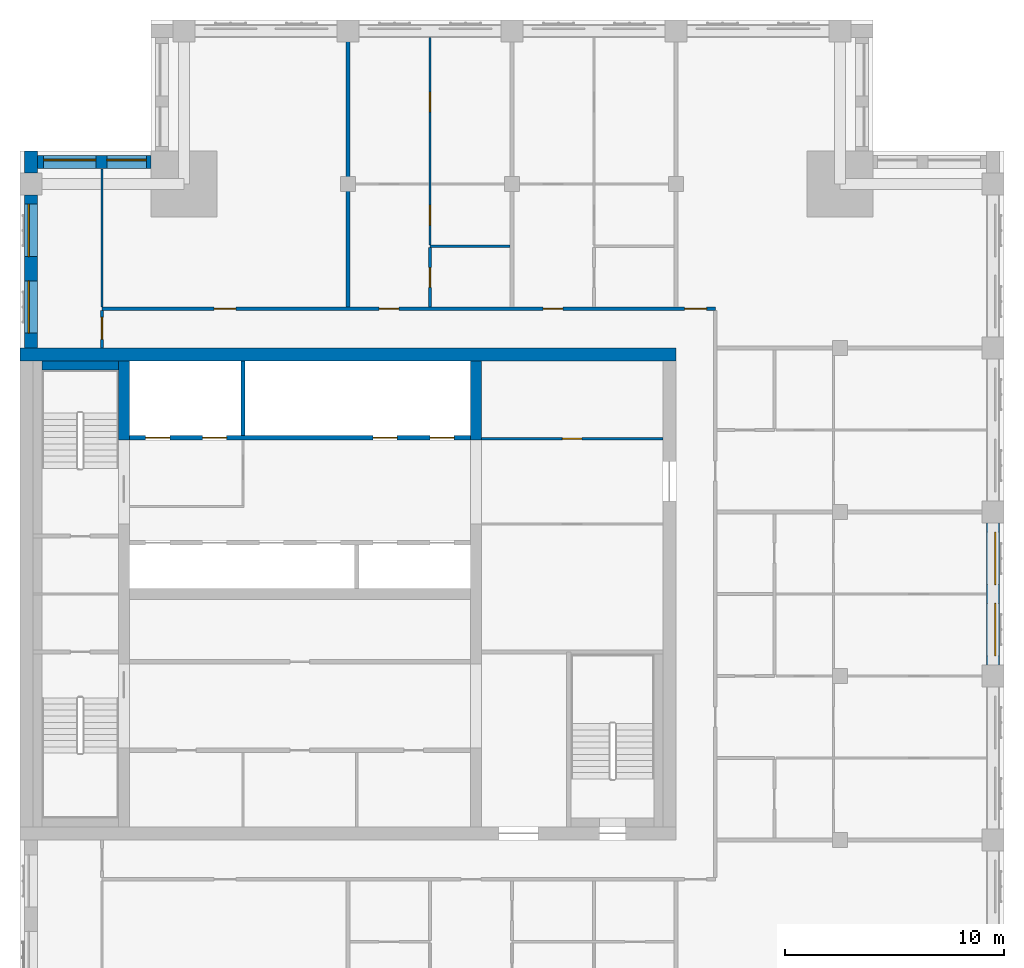
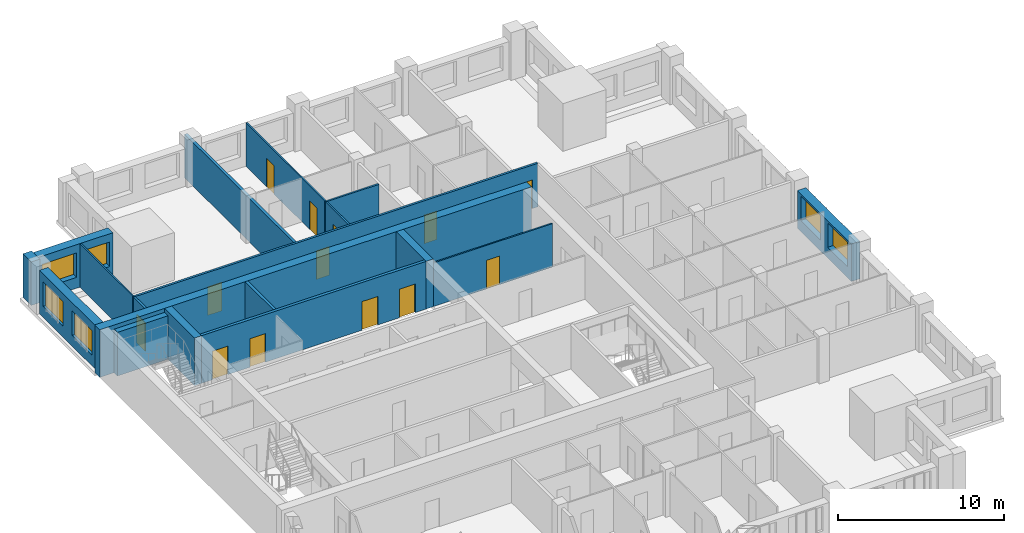
# One storey, part 6 of 10: 18 walls, 13 doors, 6 windows, 19 openings.
"""IFC4 building model written with IfcOpenShell, lengths in metres."""

import ifcopenshell
import ifcopenshell.guid

model = None  # the IFC model being written
_history = None  # IfcOwnerHistory: only IFC2X3 demands one
_inside = {}  # id of a spatial element -> (the spatial element, [elements in it])
_under = {}  # id of a project, library or spatial element -> (it, [spatial elements below it])
_declared = {}  # id of a project -> (the project, [libraries it declares])
_typed = {}  # id of a type object -> (the type object, [elements of that type])
_made_of = {}  # id of a material, layer set ... -> (it, [elements and type objects made of it])


def new_model(schema):
    """Start an empty IFC model of exactly this schema.

    Asked for "IFC4X3", IfcOpenShell would pick the latest addendum, in which some entities
    have other attributes; the version numbers below select the first issue.
    IFC2X3 requires an IfcOwnerHistory on every rooted entity: one is made here for all.
    """
    global model, _history
    if schema == "IFC4X3":
        model = ifcopenshell.file(schema_version=(4, 3, 0, 0))
    else:
        model = ifcopenshell.file(schema=schema)
    _inside.clear()
    _under.clear()
    _declared.clear()
    _typed.clear()
    _made_of.clear()
    _history = None
    if model.schema == "IFC2X3":
        org = make("IfcOrganization", Name="unknown")
        user = make(
            "IfcPersonAndOrganization",
            ThePerson=make("IfcPerson", FamilyName="unknown"),
            TheOrganization=org,
        )
        app = make(
            "IfcApplication",
            ApplicationDeveloper=org,
            Version="unknown",
            ApplicationFullName="unknown",
            ApplicationIdentifier="unknown",
        )
        _history = make(
            "IfcOwnerHistory",
            OwningUser=user,
            OwningApplication=app,
            ChangeAction="ADDED",
            CreationDate=0,
        )
    return model


def make(cls, **values):
    """One entity of the class cls with the attributes given. An attribute that is None is left unset."""
    return model.create_entity(
        cls, **{name: value for name, value in values.items() if value is not None}
    )


def rooted(cls, **values):
    """An entity with a GlobalId (a new one), such as an element, a storey or a relation."""
    return make(cls, GlobalId=ifcopenshell.guid.new(), OwnerHistory=_history, **values)


def si_unit(unit_type, name, prefix=None):
    """IfcSIUnit, for example si_unit("LENGTHUNIT", "METRE", prefix="MILLI")."""
    return make("IfcSIUnit", UnitType=unit_type, Prefix=prefix, Name=name)


def assignment(units):
    """IfcUnitAssignment: the units of a project."""
    return None if units is None else make("IfcUnitAssignment", Units=units)


def point(xyz):
    """IfcCartesianPoint."""
    return None if xyz is None else make("IfcCartesianPoint", Coordinates=xyz)


def direction(xyz):
    """IfcDirection."""
    return None if xyz is None else make("IfcDirection", DirectionRatios=xyz)


def frame(location, z_axis=None, x_axis=None):
    """IfcAxis2Placement3D, a coordinate frame: its origin and axes. An axis left out is left unset."""
    return make(
        "IfcAxis2Placement3D",
        Location=point(location),
        Axis=direction(z_axis),
        RefDirection=direction(x_axis),
    )


def frame_2d(location, x_axis=None):
    """IfcAxis2Placement2D, a coordinate frame in the plane: its origin and x axis."""
    return make(
        "IfcAxis2Placement2D", Location=point(location), RefDirection=direction(x_axis)
    )


def origin():
    """The frame at (0, 0, 0) with its axes left unset."""
    return frame((0.0, 0.0, 0.0))


def place(relative_to, where):
    """IfcLocalPlacement: puts the frame where relative to a parent placement (None: the world)."""
    return make(
        "IfcLocalPlacement", PlacementRelTo=relative_to, RelativePlacement=where
    )


def context(
    kind, dimensions, precision=None, world=None, true_north=None, identifier=None
):
    """IfcGeometricRepresentationContext, for example the 3D "Model" context."""
    return make(
        "IfcGeometricRepresentationContext",
        ContextIdentifier=identifier,
        ContextType=kind,
        CoordinateSpaceDimension=dimensions,
        Precision=precision,
        WorldCoordinateSystem=world,
        TrueNorth=true_north,
    )


def subcontext(parent, identifier, kind, view, scale=None):
    """IfcGeometricRepresentationSubContext, for example "Body" below "Model"."""
    return make(
        "IfcGeometricRepresentationSubContext",
        ContextIdentifier=identifier,
        ContextType=kind,
        ParentContext=parent,
        TargetScale=scale,
        TargetView=view,
    )


def project(units=None, contexts=None):
    """IfcProject with its units and contexts."""
    return rooted(
        "IfcProject",
        Name="project",
        RepresentationContexts=contexts,
        UnitsInContext=assignment(units),
    )


def spatial(cls, under=None, at=None, **own):
    """A site, building, storey or space (cls), placed at a placement, below another one or the project."""
    s = rooted(cls, ObjectPlacement=at, **own)
    if under is not None:
        _under.setdefault(under.id(), (under, []))[1].append(s)
    return s


def profile(cls, at=None, kind="AREA", **sizes):
    """A parametric profile (cls). Its sizes go by their IFC names, for example OverallWidth=200.0."""
    return make(cls, ProfileType=kind, Position=at, **sizes)


def rectangle(**sizes):
    """IfcRectangleProfileDef."""
    return profile("IfcRectangleProfileDef", **sizes)


def extrude(swept, where, along, depth):
    """IfcExtrudedAreaSolid: the profile swept, set in the frame where, extruded along a direction by depth."""
    return make(
        "IfcExtrudedAreaSolid",
        SweptArea=swept,
        Position=where,
        ExtrudedDirection=direction(along),
        Depth=depth,
    )


def shape(context_of_items, identifier, shape_type, items):
    """IfcShapeRepresentation: the items that make up one representation, for example the "Body"."""
    return make(
        "IfcShapeRepresentation",
        ContextOfItems=context_of_items,
        RepresentationIdentifier=identifier,
        RepresentationType=shape_type,
        Items=items,
    )


def material(Name=None, Category=None):
    """IfcMaterial."""
    return make("IfcMaterial", Name=Name, Category=Category)


def layer(
    of_material, thickness, ventilated=None, Name=None, Category=None, Priority=None
):
    """IfcMaterialLayer: one layer of a wall or slab, of a material (None: an air gap)."""
    return make(
        "IfcMaterialLayer",
        Material=of_material,
        LayerThickness=thickness,
        IsVentilated=ventilated,
        Name=Name,
        Category=Category,
        Priority=Priority,
    )


def layer_set(layers, Name=None):
    """IfcMaterialLayerSet."""
    return make("IfcMaterialLayerSet", MaterialLayers=layers, LayerSetName=Name)


def made_of(thing, what):
    """Note that an element or type object is made of a material, layer set ...; save() writes the relation."""
    if what is not None:
        _made_of.setdefault(what.id(), (what, []))[1].append(thing)
    return thing


def type_object(cls, material=None, **own):
    """A type object (cls), such as IfcWallType, which elements share."""
    return made_of(rooted(cls, **own), material)


def element(
    cls,
    number,
    at=None,
    inside=None,
    cuts=None,
    type_object=None,
    material=None,
    context=None,
    identifier="Body",
    shape_type=None,
    held_by="IfcProductDefinitionShape",
    body=None,
    shapes=None,
    **own,
):
    """One element of the class cls, such as IfcWall. Its Tag is "e" and its number.

    at: its placement. inside: the storey or other place that contains it. cuts: it is an
    opening in that element (IfcRelVoidsElement). A single representation is given by context,
    identifier, shape_type and body (its items); several are given by shapes. held_by: the class
    of the entity that holds the representations. save() writes the other relations.
    """
    e = rooted(cls, Tag="e%d" % number, ObjectPlacement=at, **own)
    if body is not None:
        shapes = [shape(context, identifier, shape_type, body)]
    if shapes is not None:
        e.Representation = make(held_by, Representations=shapes)
    if inside is not None:
        _inside.setdefault(inside.id(), (inside, []))[1].append(e)
    if cuts is not None:
        rooted(
            "IfcRelVoidsElement", RelatingBuildingElement=cuts, RelatedOpeningElement=e
        )
    if type_object is not None:
        _typed.setdefault(type_object.id(), (type_object, []))[1].append(e)
    return made_of(e, material)


def fill(opening, filler):
    """IfcRelFillsElement: the door or window that sits in an opening."""
    return rooted(
        "IfcRelFillsElement",
        RelatingOpeningElement=opening,
        RelatedBuildingElement=filler,
    )


def aggregate(whole, parts):
    """IfcRelAggregates: a whole, such as a stair, and the parts it consists of."""
    return rooted("IfcRelAggregates", RelatingObject=whole, RelatedObjects=parts)


def save(model, path):
    """Write the relations noted so far, then the file.

    IfcRelAggregates (storeys below a building ...), IfcRelContainedInSpatialStructure (elements
    in a storey), IfcRelDefinesByType, IfcRelAssociatesMaterial and IfcRelDeclares: one each for
    every whole, place, type object, material and project.
    """
    for whole, parts in _under.values():
        aggregate(whole, parts)
    for where, things in _inside.values():
        rooted(
            "IfcRelContainedInSpatialStructure",
            RelatedElements=things,
            RelatingStructure=where,
        )
    for kind, things in _typed.values():
        rooted("IfcRelDefinesByType", RelatedObjects=things, RelatingType=kind)
    for what, things in _made_of.values():
        rooted("IfcRelAssociatesMaterial", RelatedObjects=things, RelatingMaterial=what)
    for by, libraries in _declared.values():
        rooted("IfcRelDeclares", RelatingContext=by, RelatedDefinitions=libraries)
    model.write(path)


model = new_model("IFC4")

# Units and contexts
model_context = context("Model", 3, precision=1e-05, world=origin(), true_north=direction((0.0, 1.0)))
body_context = subcontext(model_context, "Body", "Model", "MODEL_VIEW")
ifc_project = project(units=[si_unit("LENGTHUNIT", "METRE"), si_unit("AREAUNIT", "SQUARE_METRE"), si_unit("VOLUMEUNIT", "CUBIC_METRE"), si_unit("PLANEANGLEUNIT", "RADIAN"), si_unit("MASSUNIT", "GRAM", prefix="KILO")], contexts=[model_context])

# Site, building, storey
site_placement = place(None, origin())
site = spatial("IfcSite", under=ifc_project, at=site_placement, CompositionType="ELEMENT")
building_placement = place(site_placement, origin())
building = spatial("IfcBuilding", under=site, at=building_placement, Name="Tamorin Gate", CompositionType="ELEMENT")
storey_placement = place(building_placement, frame((0.0, 0.0, 283.699951171875)))
storey = spatial("IfcBuildingStorey", under=building, at=storey_placement, Name="L71", CompositionType="ELEMENT", Elevation=283.699951171875)

# Wall, openings, windows
ifc_material_1 = material(Name="Precast concrete C40/50", Category="concrete")
ifc_layer_1 = layer(ifc_material_1, 0.60009765625)
ifc_layer_set_1 = layer_set([ifc_layer_1], Name="Precast concrete C40/50")
wall_type_1 = type_object("IfcWallType", Name="Board-marked concrete facade panel 600", PredefinedType="SOLIDWALL", material=ifc_layer_set_1)
wall_1_placement = place(storey_placement, frame((74.5, 68.0, 0.0), z_axis=(0.0, 0.0, 1.0), x_axis=(0.0, 1.0, 0.0)))
wall_1 = element("IfcWall", 1, at=wall_1_placement, inside=storey, type_object=wall_type_1, Name="Facade panel", PredefinedType="SOLIDWALL", context=body_context, shape_type="SweptSolid", body=[
    extrude(rectangle(XDim=6.5, YDim=0.60009765625, at=frame_2d((3.25, 0.0))), origin(), (0.0, 0.0, 1.0), 2.75),
])
opening_1_placement = place(wall_1_placement, frame((0.425048828125, 0.0, 0.800048828125)))
opening_1 = element("IfcOpeningElement", 2, at=opening_1_placement, cuts=wall_1, Name="Opening WN1", PredefinedType="OPENING", context=body_context, shape_type="SweptSolid", body=[
    extrude(rectangle(XDim=2.39990234375, YDim=1.800048828125, at=frame_2d((1.199951171875, 0.89990234375))), frame((0.0, 0.31005859375, 0.0), z_axis=(0.0, -1.0, 0.0), x_axis=(1.0, 0.0, 0.0)), (0.0, 0.0, 1.0), 0.6201171875),
])
opening_2_placement = place(wall_1_placement, frame((3.675048828125, 0.0, 0.800048828125)))
opening_2 = element("IfcOpeningElement", 3, at=opening_2_placement, cuts=wall_1, Name="Opening WN1", PredefinedType="OPENING", context=body_context, shape_type="SweptSolid", body=[
    extrude(rectangle(XDim=2.39990234375, YDim=1.800048828125, at=frame_2d((1.199951171875, 0.89990234375))), frame((0.0, 0.31005859375, 0.0), z_axis=(0.0, -1.0, 0.0), x_axis=(1.0, 0.0, 0.0)), (0.0, 0.0, 1.0), 0.6201171875),
])
ifc_material_2 = material(Name="Clear glass in aluminium frame", Category="aluminium")
window_type_1 = type_object("IfcWindowType", Name="Deep-set window 2400x1800", PartitioningType="SINGLE_PANEL", PredefinedType="WINDOW", material=ifc_material_2)
window_1_placement = place(opening_1_placement, origin())
window_1 = element("IfcWindow", 4, at=window_1_placement, inside=storey, type_object=window_type_1, Name="Deep-set window", OverallHeight=1.800048828125, OverallWidth=2.39990234375, PartitioningType="SINGLE_PANEL", PredefinedType="WINDOW", context=body_context, shape_type="SweptSolid", body=[
    extrude(rectangle(XDim=2.39990234375, YDim=1.800048828125, at=frame_2d((1.199951171875, 0.89990234375))), frame((0.0, -0.070068359375, 0.0), z_axis=(0.0, -1.0, 0.0), x_axis=(1.0, 0.0, 0.0)), (0.0, 0.0, 1.0), 0.06005859375),
])
fill(opening_1, window_1)
window_2_placement = place(opening_2_placement, origin())
window_2 = element("IfcWindow", 5, at=window_2_placement, inside=storey, type_object=window_type_1, Name="Deep-set window", OverallHeight=1.800048828125, OverallWidth=2.39990234375, PartitioningType="SINGLE_PANEL", PredefinedType="WINDOW", context=body_context, shape_type="SweptSolid", body=[
    extrude(rectangle(XDim=2.39990234375, YDim=1.800048828125, at=frame_2d((1.199951171875, 0.89990234375))), frame((0.0, -0.070068359375, 0.0), z_axis=(0.0, -1.0, 0.0), x_axis=(1.0, 0.0, 0.0)), (0.0, 0.0, 1.0), 0.06005859375),
])
fill(opening_2, window_2)

wall_2_placement = place(storey_placement, frame((36.0, 91.0, 0.0), z_axis=(0.0, 0.0, 1.0), x_axis=(-1.0, 0.0, 0.0)))
wall_2 = element("IfcWall", 6, at=wall_2_placement, inside=storey, type_object=wall_type_1, Name="Facade panel", PredefinedType="SOLIDWALL", context=body_context, shape_type="SweptSolid", body=[
    extrude(rectangle(XDim=5.199951171875, YDim=0.60009765625, at=frame_2d((2.60009765625, 0.0))), origin(), (0.0, 0.0, 1.0), 3.199951171875),
])
opening_3_placement = place(wall_2_placement, frame((2.52490234375, 0.0, 0.800048828125)))
opening_3 = element("IfcOpeningElement", 7, at=opening_3_placement, cuts=wall_2, Name="Opening WN1", PredefinedType="OPENING", context=body_context, shape_type="SweptSolid", body=[
    extrude(rectangle(XDim=2.39990234375, YDim=1.800048828125, at=frame_2d((1.199951171875, 0.89990234375))), frame((0.0, 0.31005859375, 0.0), z_axis=(0.0, -1.0, 0.0), x_axis=(1.0, 0.0, 0.0)), (0.0, 0.0, 1.0), 0.6201171875),
])
opening_4_placement = place(wall_2_placement, frame((0.22509765625, 0.0, 0.800048828125)))
opening_4 = element("IfcOpeningElement", 8, at=opening_4_placement, cuts=wall_2, Name="Opening WN2", PredefinedType="OPENING", context=body_context, shape_type="SweptSolid", body=[
    extrude(rectangle(XDim=1.800048828125, YDim=1.800048828125, at=frame_2d((0.89990234375, 0.89990234375))), frame((0.0, 0.31005859375, 0.0), z_axis=(0.0, -1.0, 0.0), x_axis=(1.0, 0.0, 0.0)), (0.0, 0.0, 1.0), 0.6201171875),
])
window_type_2 = type_object("IfcWindowType", Name="Deep-set window 1800x1800", PartitioningType="SINGLE_PANEL", PredefinedType="WINDOW", material=ifc_material_2)
window_3_placement = place(opening_4_placement, origin())
window_3 = element("IfcWindow", 9, at=window_3_placement, inside=storey, type_object=window_type_2, Name="Deep-set window", OverallHeight=1.800048828125, OverallWidth=1.800048828125, PartitioningType="SINGLE_PANEL", PredefinedType="WINDOW", context=body_context, shape_type="SweptSolid", body=[
    extrude(rectangle(XDim=1.800048828125, YDim=1.800048828125, at=frame_2d((0.89990234375, 0.89990234375))), frame((0.0, -0.070068359375, 0.0), z_axis=(0.0, -1.0, 0.0), x_axis=(1.0, 0.0, 0.0)), (0.0, 0.0, 1.0), 0.06005859375),
])
fill(opening_4, window_3)
window_4_placement = place(opening_3_placement, origin())
window_4 = element("IfcWindow", 10, at=window_4_placement, inside=storey, type_object=window_type_1, Name="Deep-set window", OverallHeight=1.800048828125, OverallWidth=2.39990234375, PartitioningType="SINGLE_PANEL", PredefinedType="WINDOW", context=body_context, shape_type="SweptSolid", body=[
    extrude(rectangle(XDim=2.39990234375, YDim=1.800048828125, at=frame_2d((1.199951171875, 0.89990234375))), frame((0.0, -0.070068359375, 0.0), z_axis=(0.0, -1.0, 0.0), x_axis=(1.0, 0.0, 0.0)), (0.0, 0.0, 1.0), 0.06005859375),
])
fill(opening_3, window_4)

# Wall
wall_3_placement = place(storey_placement, frame((30.5, 91.5, 0.0), z_axis=(0.0, 0.0, 1.0), x_axis=(0.0, -1.0, 0.0)))
element("IfcWall", 11, at=wall_3_placement, inside=storey, type_object=wall_type_1, Name="Facade panel", PredefinedType="SOLIDWALL", context=body_context, shape_type="SweptSolid", body=[
    extrude(rectangle(XDim=1.0, YDim=0.60009765625, at=frame_2d((0.5, 0.0))), origin(), (0.0, 0.0, 1.0), 3.199951171875),
])

# Wall, openings, windows
wall_4_placement = place(storey_placement, frame((30.5, 89.5, 0.0), z_axis=(0.0, 0.0, 1.0), x_axis=(0.0, -1.0, 0.0)))
wall_4 = element("IfcWall", 12, at=wall_4_placement, inside=storey, type_object=wall_type_1, Name="Facade panel", PredefinedType="SOLIDWALL", context=body_context, shape_type="SweptSolid", body=[
    extrude(rectangle(XDim=7.0, YDim=0.60009765625, at=frame_2d((3.5, 0.0))), origin(), (0.0, 0.0, 1.0), 3.199951171875),
])
opening_5_placement = place(wall_4_placement, frame((3.925048828125, 0.0, 0.800048828125)))
opening_5 = element("IfcOpeningElement", 13, at=opening_5_placement, cuts=wall_4, Name="Opening WN1", PredefinedType="OPENING", context=body_context, shape_type="SweptSolid", body=[
    extrude(rectangle(XDim=2.39990234375, YDim=1.800048828125, at=frame_2d((1.199951171875, 0.89990234375))), frame((0.0, 0.31005859375, 0.0), z_axis=(0.0, -1.0, 0.0), x_axis=(1.0, 0.0, 0.0)), (0.0, 0.0, 1.0), 0.6201171875),
])
opening_6_placement = place(wall_4_placement, frame((0.425048828125, 0.0, 0.800048828125)))
opening_6 = element("IfcOpeningElement", 14, at=opening_6_placement, cuts=wall_4, Name="Opening WN1", PredefinedType="OPENING", context=body_context, shape_type="SweptSolid", body=[
    extrude(rectangle(XDim=2.39990234375, YDim=1.800048828125, at=frame_2d((1.199951171875, 0.89990234375))), frame((0.0, 0.31005859375, 0.0), z_axis=(0.0, -1.0, 0.0), x_axis=(1.0, 0.0, 0.0)), (0.0, 0.0, 1.0), 0.6201171875),
])
window_5_placement = place(opening_5_placement, origin())
window_5 = element("IfcWindow", 15, at=window_5_placement, inside=storey, type_object=window_type_1, Name="Deep-set window", OverallHeight=1.800048828125, OverallWidth=2.39990234375, PartitioningType="SINGLE_PANEL", PredefinedType="WINDOW", context=body_context, shape_type="SweptSolid", body=[
    extrude(rectangle(XDim=2.39990234375, YDim=1.800048828125, at=frame_2d((1.199951171875, 0.89990234375))), frame((0.0, -0.070068359375, 0.0), z_axis=(0.0, -1.0, 0.0), x_axis=(1.0, 0.0, 0.0)), (0.0, 0.0, 1.0), 0.06005859375),
])
fill(opening_5, window_5)
window_6_placement = place(opening_6_placement, origin())
window_6 = element("IfcWindow", 16, at=window_6_placement, inside=storey, type_object=window_type_1, Name="Deep-set window", OverallHeight=1.800048828125, OverallWidth=2.39990234375, PartitioningType="SINGLE_PANEL", PredefinedType="WINDOW", context=body_context, shape_type="SweptSolid", body=[
    extrude(rectangle(XDim=2.39990234375, YDim=1.800048828125, at=frame_2d((1.199951171875, 0.89990234375))), frame((0.0, -0.070068359375, 0.0), z_axis=(0.0, -1.0, 0.0), x_axis=(1.0, 0.0, 0.0)), (0.0, 0.0, 1.0), 0.06005859375),
])
fill(opening_6, window_6)

# Wall, openings, doors
ifc_material_3 = material(Name="Gypsum board partition")
ifc_layer_2 = layer(ifc_material_3, 0.14990234375)
ifc_layer_set_2 = layer_set([ifc_layer_2], Name="Corridor wall 150")
wall_type_2 = type_object("IfcWallType", Name="Corridor wall 150", PredefinedType="PARTITIONING", material=ifc_layer_set_2)
wall_5_placement = place(storey_placement, frame((33.75, 84.300048828125, 0.0), z_axis=(0.0, 0.0, 1.0), x_axis=(1.0, 0.0, 0.0)))
wall_5 = element("IfcWall", 17, at=wall_5_placement, inside=storey, type_object=wall_type_2, Name="Corridor wall 150", PredefinedType="PARTITIONING", context=body_context, shape_type="SweptSolid", body=[
    extrude(rectangle(XDim=28.050048828125, YDim=0.14990234375, at=frame_2d((14.02490234375, 0.0))), origin(), (0.0, 0.0, 1.0), 3.199951171875),
])
opening_7_placement = place(wall_5_placement, frame((5.125, 0.0, 0.0)))
opening_7 = element("IfcOpeningElement", 18, at=opening_7_placement, cuts=wall_5, Name="Opening DR10016", PredefinedType="OPENING", context=body_context, shape_type="SweptSolid", body=[
    extrude(rectangle(XDim=1.0, YDim=2.10009765625, at=frame_2d((0.5, 1.050048828125))), frame((0.0, 0.0849609375, 0.0), z_axis=(0.0, -1.0, 0.0), x_axis=(1.0, 0.0, 0.0)), (0.0, 0.0, 1.0), 0.169921875),
])
opening_8_placement = place(wall_5_placement, frame((12.675048828125, 0.0, 0.0)))
opening_8 = element("IfcOpeningElement", 19, at=opening_8_placement, cuts=wall_5, Name="Opening DR10017", PredefinedType="OPENING", context=body_context, shape_type="SweptSolid", body=[
    extrude(rectangle(XDim=0.89990234375, YDim=2.10009765625, at=frame_2d((0.449951171875, 1.050048828125))), frame((0.0, 0.0849609375, 0.0), z_axis=(0.0, -1.0, 0.0), x_axis=(1.0, 0.0, 0.0)), (0.0, 0.0, 1.0), 0.169921875),
])
opening_9_placement = place(wall_5_placement, frame((20.175048828125, 0.0, 0.0)))
opening_9 = element("IfcOpeningElement", 20, at=opening_9_placement, cuts=wall_5, Name="Opening DR10022", PredefinedType="OPENING", context=body_context, shape_type="SweptSolid", body=[
    extrude(rectangle(XDim=0.89990234375, YDim=2.10009765625, at=frame_2d((0.449951171875, 1.050048828125))), frame((0.0, 0.0849609375, 0.0), z_axis=(0.0, -1.0, 0.0), x_axis=(1.0, 0.0, 0.0)), (0.0, 0.0, 1.0), 0.169921875),
])
opening_10_placement = place(wall_5_placement, frame((26.64990234375, 0.0, 0.0)))
opening_10 = element("IfcOpeningElement", 21, at=opening_10_placement, cuts=wall_5, Name="Opening DR10027", PredefinedType="OPENING", context=body_context, shape_type="SweptSolid", body=[
    extrude(rectangle(XDim=1.0, YDim=2.10009765625, at=frame_2d((0.5, 1.050048828125))), frame((0.0, 0.0849609375, 0.0), z_axis=(0.0, -1.0, 0.0), x_axis=(1.0, 0.0, 0.0)), (0.0, 0.0, 1.0), 0.169921875),
])
ifc_material_4 = material(Name="Timber door leaf", Category="wood")
door_type_1 = type_object("IfcDoorType", Name="Door 1000 x 2100 FD30S", OperationType="NOTDEFINED", PredefinedType="DOOR", material=ifc_material_4)
door_1_placement = place(opening_7_placement, origin())
door_1 = element("IfcDoor", 22, at=door_1_placement, inside=storey, type_object=door_type_1, Name="Door DR10016", OperationType="SINGLE_SWING_LEFT", OverallHeight=2.10009765625, OverallWidth=1.0, PredefinedType="DOOR", context=body_context, shape_type="SweptSolid", body=[
    extrude(rectangle(XDim=1.0, YDim=2.10009765625, at=frame_2d((0.5, 1.050048828125))), frame((0.0, 0.02490234375, 0.0), z_axis=(0.0, -1.0, 0.0), x_axis=(1.0, 0.0, 0.0)), (0.0, 0.0, 1.0), 0.050048828125),
])
fill(opening_7, door_1)
door_2_placement = place(opening_10_placement, origin())
door_2 = element("IfcDoor", 23, at=door_2_placement, inside=storey, type_object=door_type_1, Name="Door DR10027", OperationType="SINGLE_SWING_LEFT", OverallHeight=2.10009765625, OverallWidth=1.0, PredefinedType="DOOR", context=body_context, shape_type="SweptSolid", body=[
    extrude(rectangle(XDim=1.0, YDim=2.10009765625, at=frame_2d((0.5, 1.050048828125))), frame((0.0, 0.02490234375, 0.0), z_axis=(0.0, -1.0, 0.0), x_axis=(1.0, 0.0, 0.0)), (0.0, 0.0, 1.0), 0.050048828125),
])
fill(opening_10, door_2)
door_type_2 = type_object("IfcDoorType", Name="Door 900 x 2100 FD30S", OperationType="NOTDEFINED", PredefinedType="DOOR", material=ifc_material_4)
door_3_placement = place(opening_8_placement, origin())
door_3 = element("IfcDoor", 24, at=door_3_placement, inside=storey, type_object=door_type_2, Name="Door DR10017", OperationType="SINGLE_SWING_LEFT", OverallHeight=2.10009765625, OverallWidth=0.89990234375, PredefinedType="DOOR", context=body_context, shape_type="SweptSolid", body=[
    extrude(rectangle(XDim=0.89990234375, YDim=2.10009765625, at=frame_2d((0.449951171875, 1.050048828125))), frame((0.0, 0.02490234375, 0.0), z_axis=(0.0, -1.0, 0.0), x_axis=(1.0, 0.0, 0.0)), (0.0, 0.0, 1.0), 0.050048828125),
])
fill(opening_8, door_3)
door_4_placement = place(opening_9_placement, origin())
door_4 = element("IfcDoor", 25, at=door_4_placement, inside=storey, type_object=door_type_2, Name="Door DR10022", OperationType="SINGLE_SWING_LEFT", OverallHeight=2.10009765625, OverallWidth=0.89990234375, PredefinedType="DOOR", context=body_context, shape_type="SweptSolid", body=[
    extrude(rectangle(XDim=0.89990234375, YDim=2.10009765625, at=frame_2d((0.449951171875, 1.050048828125))), frame((0.0, 0.02490234375, 0.0), z_axis=(0.0, -1.0, 0.0), x_axis=(1.0, 0.0, 0.0)), (0.0, 0.0, 1.0), 0.050048828125),
])
fill(opening_9, door_4)

# Wall, opening, door
wall_6_placement = place(storey_placement, frame((33.75, 82.5, 0.0), z_axis=(0.0, 0.0, 1.0), x_axis=(0.0, 1.0, 0.0)))
wall_6 = element("IfcWall", 26, at=wall_6_placement, inside=storey, type_object=wall_type_2, Name="Corridor wall 150", PredefinedType="PARTITIONING", context=body_context, shape_type="SweptSolid", body=[
    extrude(rectangle(XDim=1.72509765625, YDim=0.14990234375, at=frame_2d((0.862548828125, 0.0))), origin(), (0.0, 0.0, 1.0), 3.199951171875),
])
opening_11_placement = place(wall_6_placement, frame((0.39990234375, 0.0, 0.0)))
opening_11 = element("IfcOpeningElement", 27, at=opening_11_placement, cuts=wall_6, Name="Opening DR10015", PredefinedType="OPENING", context=body_context, shape_type="SweptSolid", body=[
    extrude(rectangle(XDim=1.0, YDim=2.10009765625, at=frame_2d((0.5, 1.050048828125))), frame((0.0, 0.0849609375, 0.0), z_axis=(0.0, -1.0, 0.0), x_axis=(1.0, 0.0, 0.0)), (0.0, 0.0, 1.0), 0.169921875),
])
door_5_placement = place(opening_11_placement, origin())
door_5 = element("IfcDoor", 28, at=door_5_placement, inside=storey, type_object=door_type_1, Name="Door DR10015", OperationType="SINGLE_SWING_LEFT", OverallHeight=2.10009765625, OverallWidth=1.0, PredefinedType="DOOR", context=body_context, shape_type="SweptSolid", body=[
    extrude(rectangle(XDim=1.0, YDim=2.10009765625, at=frame_2d((0.5, 1.050048828125))), frame((0.0, 0.02490234375, 0.0), z_axis=(0.0, -1.0, 0.0), x_axis=(1.0, 0.0, 0.0)), (0.0, 0.0, 1.0), 0.050048828125),
])
fill(opening_11, door_5)

# Wall
ifc_layer_3 = layer(ifc_material_3, 0.199951171875)
ifc_layer_set_3 = layer_set([ifc_layer_3], Name="Demising wall 200")
wall_type_3 = type_object("IfcWallType", Name="Demising wall 200", PredefinedType="PARTITIONING", material=ifc_layer_set_3)
wall_7_placement = place(storey_placement, frame((45.0, 84.375, 0.0), z_axis=(0.0, 0.0, 1.0), x_axis=(0.0, 1.0, 0.0)))
element("IfcWall", 29, at=wall_7_placement, inside=storey, type_object=wall_type_3, Name="Demising wall 200", PredefinedType="PARTITIONING", context=body_context, shape_type="SweptSolid", body=[
    extrude(rectangle(XDim=13.125, YDim=0.199951171875, at=frame_2d((6.5625, 0.0))), origin(), (0.0, 0.0, 1.0), 3.199951171875),
])

# Wall, openings, doors
ifc_material_5 = material(Name="Concrete C32/40", Category="concrete")
ifc_layer_4 = layer(ifc_material_5, 0.199951171875)
ifc_layer_set_4 = layer_set([ifc_layer_4], Name="Lift lobby face wall 200 EI 120")
wall_type_4 = type_object("IfcWallType", Name="Lift lobby face wall 200 EI 120", PredefinedType="SOLIDWALL", material=ifc_layer_set_4)
wall_8_placement = place(storey_placement, frame((35.0, 78.39990234375, 0.0), z_axis=(0.0, 0.0, 1.0), x_axis=(1.0, 0.0, 0.0)))
wall_8 = element("IfcWall", 30, at=wall_8_placement, inside=storey, type_object=wall_type_4, Name="Lift lobby face wall", PredefinedType="SOLIDWALL", context=body_context, shape_type="SweptSolid", body=[
    extrude(rectangle(XDim=15.60009765625, YDim=0.199951171875, at=frame_2d((7.800048828125, 0.0))), origin(), (0.0, 0.0, 1.0), 3.5),
])
opening_12_placement = place(wall_8_placement, frame((0.75, 0.0, 0.0)))
opening_12 = element("IfcOpeningElement", 31, at=opening_12_placement, cuts=wall_8, Name="Opening LD17", PredefinedType="OPENING", context=body_context, shape_type="SweptSolid", body=[
    extrude(rectangle(XDim=1.10009765625, YDim=2.10009765625, at=frame_2d((0.550048828125, 1.050048828125))), frame((0.0, 0.10986328125, 0.0), z_axis=(0.0, -1.0, 0.0), x_axis=(1.0, 0.0, 0.0)), (0.0, 0.0, 1.0), 0.219970703125),
])
opening_13_placement = place(wall_8_placement, frame((3.35009765625, 0.0, 0.0)))
opening_13 = element("IfcOpeningElement", 32, at=opening_13_placement, cuts=wall_8, Name="Opening LD18", PredefinedType="OPENING", context=body_context, shape_type="SweptSolid", body=[
    extrude(rectangle(XDim=1.10009765625, YDim=2.10009765625, at=frame_2d((0.550048828125, 1.050048828125))), frame((0.0, 0.10986328125, 0.0), z_axis=(0.0, -1.0, 0.0), x_axis=(1.0, 0.0, 0.0)), (0.0, 0.0, 1.0), 0.219970703125),
])
opening_14_placement = place(wall_8_placement, frame((11.14990234375, 0.0, 0.0)))
opening_14 = element("IfcOpeningElement", 33, at=opening_14_placement, cuts=wall_8, Name="Opening LD21", PredefinedType="OPENING", context=body_context, shape_type="SweptSolid", body=[
    extrude(rectangle(XDim=1.10009765625, YDim=2.10009765625, at=frame_2d((0.550048828125, 1.050048828125))), frame((0.0, 0.10986328125, 0.0), z_axis=(0.0, -1.0, 0.0), x_axis=(1.0, 0.0, 0.0)), (0.0, 0.0, 1.0), 0.219970703125),
])
opening_15_placement = place(wall_8_placement, frame((13.75, 0.0, 0.0)))
opening_15 = element("IfcOpeningElement", 34, at=opening_15_placement, cuts=wall_8, Name="Opening LD22", PredefinedType="OPENING", context=body_context, shape_type="SweptSolid", body=[
    extrude(rectangle(XDim=1.10009765625, YDim=2.10009765625, at=frame_2d((0.550048828125, 1.050048828125))), frame((0.0, 0.10986328125, 0.0), z_axis=(0.0, -1.0, 0.0), x_axis=(1.0, 0.0, 0.0)), (0.0, 0.0, 1.0), 0.219970703125),
])
ifc_material_6 = material(Name="Stainless steel sliding door", Category="steel")
door_type_3 = type_object("IfcDoorType", Name="Lift landing door 1100 x 2100 E 90", OperationType="DOUBLE_DOOR_SLIDING", PredefinedType="DOOR", material=ifc_material_6)
door_6_placement = place(opening_12_placement, origin())
door_6 = element("IfcDoor", 35, at=door_6_placement, inside=storey, type_object=door_type_3, Name="FF1 landing door", OperationType="DOUBLE_DOOR_SLIDING", OverallHeight=2.10009765625, OverallWidth=1.10009765625, PredefinedType="DOOR", context=body_context, shape_type="SweptSolid", body=[
    extrude(rectangle(XDim=1.10009765625, YDim=2.10009765625, at=frame_2d((0.550048828125, 1.050048828125))), frame((0.0, 0.02490234375, 0.0), z_axis=(0.0, -1.0, 0.0), x_axis=(1.0, 0.0, 0.0)), (0.0, 0.0, 1.0), 0.050048828125),
])
fill(opening_12, door_6)
door_7_placement = place(opening_13_placement, origin())
door_7 = element("IfcDoor", 36, at=door_7_placement, inside=storey, type_object=door_type_3, Name="FF2 landing door", OperationType="DOUBLE_DOOR_SLIDING", OverallHeight=2.10009765625, OverallWidth=1.10009765625, PredefinedType="DOOR", context=body_context, shape_type="SweptSolid", body=[
    extrude(rectangle(XDim=1.10009765625, YDim=2.10009765625, at=frame_2d((0.550048828125, 1.050048828125))), frame((0.0, 0.02490234375, 0.0), z_axis=(0.0, -1.0, 0.0), x_axis=(1.0, 0.0, 0.0)), (0.0, 0.0, 1.0), 0.050048828125),
])
fill(opening_13, door_7)
door_8_placement = place(opening_14_placement, origin())
door_8 = element("IfcDoor", 37, at=door_8_placement, inside=storey, type_object=door_type_3, Name="SV1 landing door", OperationType="DOUBLE_DOOR_SLIDING", OverallHeight=2.10009765625, OverallWidth=1.10009765625, PredefinedType="DOOR", context=body_context, shape_type="SweptSolid", body=[
    extrude(rectangle(XDim=1.10009765625, YDim=2.10009765625, at=frame_2d((0.550048828125, 1.050048828125))), frame((0.0, 0.02490234375, 0.0), z_axis=(0.0, -1.0, 0.0), x_axis=(1.0, 0.0, 0.0)), (0.0, 0.0, 1.0), 0.050048828125),
])
fill(opening_14, door_8)
door_9_placement = place(opening_15_placement, origin())
door_9 = element("IfcDoor", 38, at=door_9_placement, inside=storey, type_object=door_type_3, Name="SV2 landing door", OperationType="DOUBLE_DOOR_SLIDING", OverallHeight=2.10009765625, OverallWidth=1.10009765625, PredefinedType="DOOR", context=body_context, shape_type="SweptSolid", body=[
    extrude(rectangle(XDim=1.10009765625, YDim=2.10009765625, at=frame_2d((0.550048828125, 1.050048828125))), frame((0.0, 0.02490234375, 0.0), z_axis=(0.0, -1.0, 0.0), x_axis=(1.0, 0.0, 0.0)), (0.0, 0.0, 1.0), 0.050048828125),
])
fill(opening_15, door_9)

# Walls
ifc_layer_5 = layer(ifc_material_5, 0.199951171875)
ifc_layer_set_5 = layer_set([ifc_layer_5], Name="Lift shaft wall 200 EI 120")
wall_type_5 = type_object("IfcWallType", Name="Lift shaft wall 200 EI 120", PredefinedType="SOLIDWALL", material=ifc_layer_set_5)
wall_9_placement = place(storey_placement, frame((40.199951171875, 78.5, 0.0), z_axis=(0.0, 0.0, 1.0), x_axis=(0.0, 1.0, 0.0)))
element("IfcWall", 39, at=wall_9_placement, inside=storey, type_object=wall_type_5, Name="Lift shaft wall", PredefinedType="SOLIDWALL", context=body_context, shape_type="SweptSolid", body=[
    extrude(rectangle(XDim=3.39990234375, YDim=0.199951171875, at=frame_2d((1.699951171875, 0.0))), origin(), (0.0, 0.0, 1.0), 3.5),
])
ifc_material_7 = material(Name="Concrete C50/60", Category="concrete")
ifc_layer_6 = layer(ifc_material_7, 0.5)
ifc_layer_set_6 = layer_set([ifc_layer_6], Name="RC core internal wall 500 C50/60")
wall_type_6 = type_object("IfcWallType", Name="RC core internal wall 500 C50/60", PredefinedType="SHEAR", material=ifc_layer_set_6)
for number, where, z_axis, x_axis, name in (
    (40, (34.75, 78.300048828125, 0.0), (0.0, 0.0, 1.0), (0.0, 1.0, 0.0), "Core cross wall L71"),
    (41, (50.85009765625, 78.300048828125, 0.0), (0.0, 0.0, 1.0), (0.0, 1.0, 0.0), "Core cross wall L71"),
):
    element("IfcWall", number, at=place(storey_placement, frame(where, z_axis=z_axis, x_axis=x_axis)), inside=storey, type_object=wall_type_6, Name=name, PredefinedType="SHEAR", context=body_context, shape_type="SweptSolid", body=[
        extrude(rectangle(XDim=3.599853515625, YDim=0.5, at=frame_2d((1.7998046875, 0.0))), origin(), (0.0, 0.0, 1.0), 3.5),
    ])
ifc_layer_7 = layer(ifc_material_7, 0.60009765625)
ifc_layer_set_7 = layer_set([ifc_layer_7], Name="RC core wall 600 C50/60")
wall_type_7 = type_object("IfcWallType", Name="RC core wall 600 C50/60", PredefinedType="SHEAR", material=ifc_layer_set_7)
wall_10_placement = place(storey_placement, frame((30.0, 82.199951171875, 0.0), z_axis=(0.0, 0.0, 1.0), x_axis=(1.0, 0.0, 0.0)))
element("IfcWall", 42, at=wall_10_placement, inside=storey, type_object=wall_type_7, Name="Core wall L71", PredefinedType="SHEAR", context=body_context, shape_type="SweptSolid", body=[
    extrude(rectangle(XDim=30.0, YDim=0.60009765625, at=frame_2d((15.0, 0.0))), origin(), (0.0, 0.0, 1.0), 3.5),
])
ifc_layer_8 = layer(ifc_material_3, 0.10009765625)
ifc_layer_set_8 = layer_set([ifc_layer_8], Name="Room partition 100")
wall_type_8 = type_object("IfcWallType", Name="Room partition 100", PredefinedType="PARTITIONING", material=ifc_layer_set_8)
wall_11_placement = place(storey_placement, frame((33.75, 84.375, 0.0), z_axis=(0.0, 0.0, 1.0), x_axis=(0.0, 1.0, 0.0)))
element("IfcWall", 43, at=wall_11_placement, inside=storey, type_object=wall_type_8, Name="Room partition 100", PredefinedType="PARTITIONING", context=body_context, shape_type="SweptSolid", body=[
    extrude(rectangle(XDim=6.31494140625, YDim=0.10009765625, at=frame_2d((3.157470703125, 0.0))), origin(), (0.0, 0.0, 1.0), 3.199951171875),
])

# Wall, openings, doors
wall_12_placement = place(storey_placement, frame((48.75, 87.21240234375, 0.0), z_axis=(0.0, 0.0, 1.0), x_axis=(0.0, 1.0, 0.0)))
wall_12 = element("IfcWall", 44, at=wall_12_placement, inside=storey, type_object=wall_type_8, Name="Room partition 100", PredefinedType="PARTITIONING", context=body_context, shape_type="SweptSolid", body=[
    extrude(rectangle(XDim=9.4775390625, YDim=0.10009765625, at=frame_2d((4.73876953125, 0.0))), origin(), (0.0, 0.0, 1.0), 3.199951171875),
])
opening_16_placement = place(wall_12_placement, frame((0.91259765625, 0.0, 0.0)))
opening_16 = element("IfcOpeningElement", 45, at=opening_16_placement, cuts=wall_12, Name="Opening DR10019", PredefinedType="OPENING", context=body_context, shape_type="SweptSolid", body=[
    extrude(rectangle(XDim=0.89990234375, YDim=2.10009765625, at=frame_2d((0.449951171875, 1.050048828125))), frame((0.0, 0.06005859375, 0.0), z_axis=(0.0, -1.0, 0.0), x_axis=(1.0, 0.0, 0.0)), (0.0, 0.0, 1.0), 0.1201171875),
])
opening_17_placement = place(wall_12_placement, frame((6.08740234375, 0.0, 0.0)))
opening_17 = element("IfcOpeningElement", 46, at=opening_17_placement, cuts=wall_12, Name="Opening DR10021", PredefinedType="OPENING", context=body_context, shape_type="SweptSolid", body=[
    extrude(rectangle(XDim=0.89990234375, YDim=2.10009765625, at=frame_2d((0.449951171875, 1.050048828125))), frame((0.0, 0.06005859375, 0.0), z_axis=(0.0, -1.0, 0.0), x_axis=(1.0, 0.0, 0.0)), (0.0, 0.0, 1.0), 0.1201171875),
])
door_type_4 = type_object("IfcDoorType", Name="Door 900 x 2100", OperationType="NOTDEFINED", PredefinedType="DOOR", material=ifc_material_4)
door_10_placement = place(opening_16_placement, origin())
door_10 = element("IfcDoor", 47, at=door_10_placement, inside=storey, type_object=door_type_4, Name="Door DR10019", OperationType="SINGLE_SWING_LEFT", OverallHeight=2.10009765625, OverallWidth=0.89990234375, PredefinedType="DOOR", context=body_context, shape_type="SweptSolid", body=[
    extrude(rectangle(XDim=0.89990234375, YDim=2.10009765625, at=frame_2d((0.449951171875, 1.050048828125))), frame((0.0, 0.02490234375, 0.0), z_axis=(0.0, -1.0, 0.0), x_axis=(1.0, 0.0, 0.0)), (0.0, 0.0, 1.0), 0.050048828125),
])
fill(opening_16, door_10)
door_11_placement = place(opening_17_placement, origin())
door_11 = element("IfcDoor", 48, at=door_11_placement, inside=storey, type_object=door_type_4, Name="Door DR10021", OperationType="SINGLE_SWING_LEFT", OverallHeight=2.10009765625, OverallWidth=0.89990234375, PredefinedType="DOOR", context=body_context, shape_type="SweptSolid", body=[
    extrude(rectangle(XDim=0.89990234375, YDim=2.10009765625, at=frame_2d((0.449951171875, 1.050048828125))), frame((0.0, 0.02490234375, 0.0), z_axis=(0.0, -1.0, 0.0), x_axis=(1.0, 0.0, 0.0)), (0.0, 0.0, 1.0), 0.050048828125),
])
fill(opening_17, door_11)

# Wall, opening, door
ifc_layer_9 = layer(ifc_material_3, 0.10009765625)
ifc_layer_set_9 = layer_set([ifc_layer_9], Name="Service room partition 100 EI 60")
wall_type_9 = type_object("IfcWallType", Name="Service room partition 100 EI 60", PredefinedType="PARTITIONING", material=ifc_layer_set_9)
wall_13_placement = place(storey_placement, frame((51.10009765625, 78.35009765625, 0.0), z_axis=(0.0, 0.0, 1.0), x_axis=(1.0, 0.0, 0.0)))
wall_13 = element("IfcWall", 49, at=wall_13_placement, inside=storey, type_object=wall_type_9, Name="Service room wall", PredefinedType="PARTITIONING", context=body_context, shape_type="SweptSolid", body=[
    extrude(rectangle(XDim=8.2998046875, YDim=0.10009765625, at=frame_2d((4.14990234375, 0.0))), origin(), (0.0, 0.0, 1.0), 3.199951171875),
])
opening_18_placement = place(wall_13_placement, frame((3.699951171875, 0.0, 0.0)))
opening_18 = element("IfcOpeningElement", 50, at=opening_18_placement, cuts=wall_13, Name="Opening DK1", PredefinedType="OPENING", context=body_context, shape_type="SweptSolid", body=[
    extrude(rectangle(XDim=0.89990234375, YDim=2.10009765625, at=frame_2d((0.449951171875, 1.050048828125))), frame((0.0, 0.06005859375, 0.0), z_axis=(0.0, -1.0, 0.0), x_axis=(1.0, 0.0, 0.0)), (0.0, 0.0, 1.0), 0.1201171875),
])
ifc_material_8 = material(Name="Timber fire door", Category="wood")
door_type_5 = type_object("IfcDoorType", Name="Service room door 900 x 2100 EI 60", OperationType="SINGLE_SWING_LEFT", PredefinedType="DOOR", material=ifc_material_8)
door_12_placement = place(opening_18_placement, origin())
door_12 = element("IfcDoor", 51, at=door_12_placement, inside=storey, type_object=door_type_5, Name="Door Store", OperationType="SINGLE_SWING_LEFT", OverallHeight=2.10009765625, OverallWidth=0.89990234375, PredefinedType="DOOR", context=body_context, shape_type="SweptSolid", body=[
    extrude(rectangle(XDim=0.89990234375, YDim=2.10009765625, at=frame_2d((0.449951171875, 1.050048828125))), frame((0.0, 0.02490234375, 0.0), z_axis=(0.0, -1.0, 0.0), x_axis=(1.0, 0.0, 0.0)), (0.0, 0.0, 1.0), 0.050048828125),
])
fill(opening_18, door_12)

# Walls
ifc_layer_10 = layer(ifc_material_7, 0.39990234375)
ifc_layer_set_10 = layer_set([ifc_layer_10], Name="Stair lining wall 400 EI 120 C50/60")
wall_type_10 = type_object("IfcWallType", Name="Stair lining wall 400 EI 120 C50/60", PredefinedType="SOLIDWALL", material=ifc_layer_set_10)
wall_14_placement = place(storey_placement, frame((31.0, 81.699951171875, 0.0), z_axis=(0.0, 0.0, 1.0), x_axis=(1.0, 0.0, 0.0)))
element("IfcWall", 52, at=wall_14_placement, inside=storey, type_object=wall_type_10, Name="Stair lining wall", PredefinedType="SOLIDWALL", context=body_context, shape_type="SweptSolid", body=[
    extrude(rectangle(XDim=3.5, YDim=0.39990234375, at=frame_2d((1.75, 0.0))), origin(), (0.0, 0.0, 1.0), 3.199951171875),
])
ifc_layer_11 = layer(ifc_material_3, 0.125)
ifc_layer_set_11 = layer_set([ifc_layer_11], Name="Wet wall 125")
wall_type_11 = type_object("IfcWallType", Name="Wet wall 125", PredefinedType="PARTITIONING", material=ifc_layer_set_11)
wall_15_placement = place(storey_placement, frame((48.75, 87.14990234375, 0.0), z_axis=(0.0, 0.0, 1.0), x_axis=(1.0, 0.0, 0.0)))
element("IfcWall", 53, at=wall_15_placement, inside=storey, type_object=wall_type_11, Name="Wet wall 125", PredefinedType="PARTITIONING", context=body_context, shape_type="SweptSolid", body=[
    extrude(rectangle(XDim=3.64990234375, YDim=0.125, at=frame_2d((1.824951171875, 0.0))), origin(), (0.0, 0.0, 1.0), 3.199951171875),
])

# Wall, opening, door
wall_16_placement = place(storey_placement, frame((48.75, 84.375, 0.0), z_axis=(0.0, 0.0, 1.0), x_axis=(0.0, 1.0, 0.0)))
wall_16 = element("IfcWall", 54, at=wall_16_placement, inside=storey, type_object=wall_type_11, Name="Wet wall 125", PredefinedType="PARTITIONING", context=body_context, shape_type="SweptSolid", body=[
    extrude(rectangle(XDim=2.71240234375, YDim=0.125, at=frame_2d((1.356201171875, 0.0))), origin(), (0.0, 0.0, 1.0), 3.199951171875),
])
opening_19_placement = place(wall_16_placement, frame((0.89990234375, 0.0, 0.0)))
opening_19 = element("IfcOpeningElement", 55, at=opening_19_placement, cuts=wall_16, Name="Opening DR10020", PredefinedType="OPENING", context=body_context, shape_type="SweptSolid", body=[
    extrude(rectangle(XDim=0.89990234375, YDim=2.10009765625, at=frame_2d((0.449951171875, 1.050048828125))), frame((0.0, 0.072509765625, 0.0), z_axis=(0.0, -1.0, 0.0), x_axis=(1.0, 0.0, 0.0)), (0.0, 0.0, 1.0), 0.14501953125),
])
door_13_placement = place(opening_19_placement, origin())
door_13 = element("IfcDoor", 56, at=door_13_placement, inside=storey, type_object=door_type_4, Name="Door DR10020", OperationType="SINGLE_SWING_RIGHT", OverallHeight=2.10009765625, OverallWidth=0.89990234375, PredefinedType="DOOR", context=body_context, shape_type="SweptSolid", body=[
    extrude(rectangle(XDim=0.89990234375, YDim=2.10009765625, at=frame_2d((0.449951171875, 1.050048828125))), frame((0.0, 0.02490234375, 0.0), z_axis=(0.0, -1.0, 0.0), x_axis=(1.0, 0.0, 0.0)), (0.0, 0.0, 1.0), 0.050048828125),
])
fill(opening_19, door_13)

save(model, "model.ifc")
